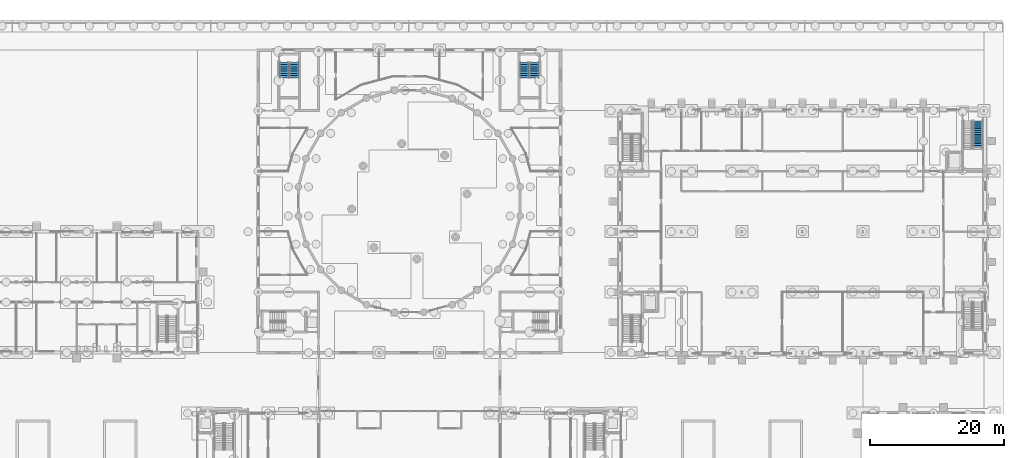
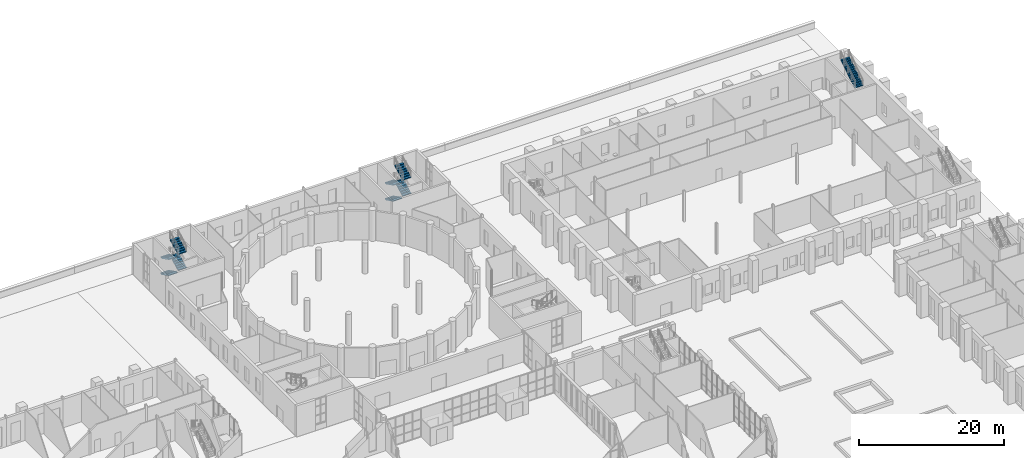
# One storey, part 113 of 168: 9 stair flights, 3 elements without a shape of their own.
"""IFC4 building model written with IfcOpenShell, lengths in metres."""

from ifc_helpers import new_model, si_unit, direction, frame, origin, place, context, subcontext, project, spatial, polyline, outline, extrude, material, type_object, element, aggregate, save


model = new_model("IFC4")

# Units and contexts
model_context = context("Model", 3, precision=1e-05, world=origin(), true_north=direction((0.0, 1.0)))
body_context = subcontext(model_context, "Body", "Model", "MODEL_VIEW")
ifc_project = project(units=[si_unit("LENGTHUNIT", "METRE"), si_unit("AREAUNIT", "SQUARE_METRE"), si_unit("VOLUMEUNIT", "CUBIC_METRE"), si_unit("PLANEANGLEUNIT", "RADIAN"), si_unit("MASSUNIT", "GRAM", prefix="KILO")], contexts=[model_context])

# Site, building, storey
site_placement = place(None, origin())
site = spatial("IfcSite", under=ifc_project, at=site_placement, CompositionType="ELEMENT")
building_placement = place(site_placement, origin())
building = spatial("IfcBuilding", under=site, at=building_placement, Name="Golden Quay Civic Hall", CompositionType="ELEMENT")
storey_placement = place(building_placement, origin())
storey = spatial("IfcBuildingStorey", under=building, at=storey_placement, Name="L00", CompositionType="ELEMENT", Elevation=0.0)

# Stair, stair flight
ifc_material_1 = material(Name="Concrete C40/50", Category="concrete")
stair_type_1 = type_object("IfcStairType", Name="Concrete half-turn stair 30 risers", PredefinedType="HALF_TURN_STAIR", material=ifc_material_1)
stair_1_placement = place(storey_placement, origin())
stair_1 = element("IfcStair", 1, at=stair_1_placement, inside=storey, type_object=stair_type_1, Name="L00 Protected Exit Stair LB-E", PredefinedType="HALF_TURN_STAIR")
ifc_material_2 = material(Name="Concrete C40/50", Category="concrete")
stair_flight_type_1 = type_object("IfcStairFlightType", Name="Concrete stair flight 1350", PredefinedType="STRAIGHT", material=ifc_material_2)
stair_flight_1_placement = place(storey_placement, frame((170.125, 93.530029296875, 2.699951171875), z_axis=(0.0, 0.0, 1.0), x_axis=(0.0, 1.0, 0.0)))
stair_flight_1 = element("IfcStairFlight", 2, at=stair_flight_1_placement, type_object=stair_flight_type_1, Name="LB-STE flight 2", NumberOfRisers=15, NumberOfTreads=14, PredefinedType="STRAIGHT", RiserHeight=0.18, TreadLength=0.28, context=body_context, shape_type="SweptSolid", body=[
    extrude(outline(polyline([(0.0, 0.0), (0.0, 0.179931640625), (0.280029296875, 0.179931640625), (0.280029296875, 0.360107421875), (0.56005859375, 0.360107421875), (0.56005859375, 0.5400390625), (0.840087890625, 0.5400390625), (0.840087890625, 0.719970703125), (1.1201171875, 0.719970703125), (1.1201171875, 0.89990234375), (1.39990234375, 0.89990234375), (1.39990234375, 1.080078125), (1.679931640625, 1.080078125), (1.679931640625, 1.260009765625), (1.9599609375, 1.260009765625), (1.9599609375, 1.43994140625), (2.239990234375, 1.43994140625), (2.239990234375, 1.6201171875), (2.52001953125, 1.6201171875), (2.52001953125, 1.800048828125), (2.800048828125, 1.800048828125), (2.800048828125, 1.97998046875), (3.080078125, 1.97998046875), (3.080078125, 2.159912109375), (3.360107421875, 2.159912109375), (3.360107421875, 2.340087890625), (3.639892578125, 2.340087890625), (3.639892578125, 2.52001953125), (3.919921875, 2.52001953125), (3.919921875, 2.699951171875), (3.919921875, 2.341796875), (0.277099609375, 0.0), (0.0, 0.0)])), frame((0.0, 0.675048828125, 0.0), z_axis=(0.0, -1.0, 0.0), x_axis=(1.0, 0.0, 0.0)), (0.0, 0.0, 1.0), 1.35),
])
aggregate(stair_1, [stair_flight_1])

# Stair, stair flights
ifc_material_3 = material(Name="Concrete C35/45", Category="concrete")
stair_type_2 = type_object("IfcStairType", Name="Reinforced concrete stair 1350", PredefinedType="HALF_TURN_STAIR", material=ifc_material_3)
stair_2_placement = place(storey_placement, origin())
stair_2 = element("IfcStair", 3, at=stair_2_placement, inside=storey, type_object=stair_type_2, Name="L00 Core stair NW", PredefinedType="HALF_TURN_STAIR")
ifc_material_4 = material(Name="Concrete C35/45", Category="concrete")
stair_flight_type_2 = type_object("IfcStairFlightType", Name="Reinforced concrete stair flight 1350", PredefinedType="STRAIGHT", material=ifc_material_4)
stair_flight_2_placement = place(storey_placement, frame((66.875, 106.199951171875, 0.0), z_axis=(0.0, 0.0, 1.0), x_axis=(0.0, -1.0, 0.0)))
stair_flight_2 = element("IfcStairFlight", 4, at=stair_flight_2_placement, type_object=stair_flight_type_2, Name="CB-NW flight 1", NumberOfRisers=8, NumberOfTreads=7, PredefinedType="STRAIGHT", RiserHeight=0.16875, TreadLength=0.33, context=body_context, shape_type="SweptSolid", body=[
    extrude(outline(polyline([(0.0, 0.0), (0.0, 0.168701171875), (0.330078125, 0.168701171875), (0.330078125, 0.33740234375), (0.659912109375, 0.33740234375), (0.659912109375, 0.50634765625), (0.989990234375, 0.50634765625), (0.989990234375, 0.675048828125), (1.320068359375, 0.675048828125), (1.320068359375, 0.84375), (1.64990234375, 0.84375), (1.64990234375, 1.012451171875), (1.97998046875, 1.012451171875), (1.97998046875, 1.18115234375), (2.31005859375, 1.18115234375), (2.31005859375, 1.35009765625), (2.31005859375, 1.012939453125), (0.329345703125, 0.0), (0.0, 0.0)])), frame((0.0, 0.675048828125, 0.0), z_axis=(0.0, -1.0, 0.0), x_axis=(1.0, 0.0, 0.0)), (0.0, 0.0, 1.0), 1.35),
])
stair_flight_3_placement = place(storey_placement, frame((68.375, 103.889892578125, 1.35009765625), z_axis=(0.0, 0.0, 1.0), x_axis=(0.0, 1.0, 0.0)))
stair_flight_3 = element("IfcStairFlight", 5, at=stair_flight_3_placement, type_object=stair_flight_type_2, Name="CB-NW flight 2", NumberOfRisers=8, NumberOfTreads=7, PredefinedType="STRAIGHT", RiserHeight=0.16875, TreadLength=0.33, context=body_context, shape_type="SweptSolid", body=[
    extrude(outline(polyline([(0.0, 0.0), (0.0, 0.168701171875), (0.330078125, 0.168701171875), (0.330078125, 0.33740234375), (0.659912109375, 0.33740234375), (0.659912109375, 0.50634765625), (0.989990234375, 0.50634765625), (0.989990234375, 0.675048828125), (1.320068359375, 0.675048828125), (1.320068359375, 0.84375), (1.64990234375, 0.84375), (1.64990234375, 1.012451171875), (1.97998046875, 1.012451171875), (1.97998046875, 1.18115234375), (2.31005859375, 1.18115234375), (2.31005859375, 1.35009765625), (2.31005859375, 1.012939453125), (0.329345703125, 0.0), (0.0, 0.0)])), frame((0.0, 0.675048828125, 0.0), z_axis=(0.0, -1.0, 0.0), x_axis=(1.0, 0.0, 0.0)), (0.0, 0.0, 1.0), 1.35),
])
stair_flight_4_placement = place(storey_placement, frame((66.875, 106.199951171875, 2.699951171875), z_axis=(0.0, 0.0, 1.0), x_axis=(0.0, -1.0, 0.0)))
stair_flight_4 = element("IfcStairFlight", 6, at=stair_flight_4_placement, type_object=stair_flight_type_2, Name="CB-NW flight 3", NumberOfRisers=8, NumberOfTreads=7, PredefinedType="STRAIGHT", RiserHeight=0.16875, TreadLength=0.33, context=body_context, shape_type="SweptSolid", body=[
    extrude(outline(polyline([(0.0, 0.0), (0.0, 0.168701171875), (0.330078125, 0.168701171875), (0.330078125, 0.33740234375), (0.659912109375, 0.33740234375), (0.659912109375, 0.50634765625), (0.989990234375, 0.50634765625), (0.989990234375, 0.675048828125), (1.320068359375, 0.675048828125), (1.320068359375, 0.84375), (1.64990234375, 0.84375), (1.64990234375, 1.012451171875), (1.97998046875, 1.012451171875), (1.97998046875, 1.18115234375), (2.31005859375, 1.18115234375), (2.31005859375, 1.35009765625), (2.31005859375, 1.012939453125), (0.329345703125, 0.0), (0.0, 0.0)])), frame((0.0, 0.675048828125, 0.0), z_axis=(0.0, -1.0, 0.0), x_axis=(1.0, 0.0, 0.0)), (0.0, 0.0, 1.0), 1.35),
])
stair_flight_5_placement = place(storey_placement, frame((68.375, 103.889892578125, 4.050048828125), z_axis=(0.0, 0.0, 1.0), x_axis=(0.0, 1.0, 0.0)))
stair_flight_5 = element("IfcStairFlight", 7, at=stair_flight_5_placement, type_object=stair_flight_type_2, Name="CB-NW flight 4", NumberOfRisers=8, NumberOfTreads=7, PredefinedType="STRAIGHT", RiserHeight=0.16875, TreadLength=0.33, context=body_context, shape_type="SweptSolid", body=[
    extrude(outline(polyline([(0.0, 0.0), (0.0, 0.168701171875), (0.330078125, 0.168701171875), (0.330078125, 0.33740234375), (0.659912109375, 0.33740234375), (0.659912109375, 0.50634765625), (0.989990234375, 0.50634765625), (0.989990234375, 0.675048828125), (1.320068359375, 0.675048828125), (1.320068359375, 0.84375), (1.64990234375, 0.84375), (1.64990234375, 1.012451171875), (1.97998046875, 1.012451171875), (1.97998046875, 1.18115234375), (2.31005859375, 1.18115234375), (2.31005859375, 1.35009765625), (2.31005859375, 1.012939453125), (0.329345703125, 0.0), (0.0, 0.0)])), frame((0.0, 0.675048828125, 0.0), z_axis=(0.0, -1.0, 0.0), x_axis=(1.0, 0.0, 0.0)), (0.0, 0.0, 1.0), 1.35),
])
aggregate(stair_2, [stair_flight_2, stair_flight_3, stair_flight_4, stair_flight_5])

stair_3_placement = place(storey_placement, origin())
stair_3 = element("IfcStair", 8, at=stair_3_placement, inside=storey, type_object=stair_type_2, Name="L00 Core stair NE", PredefinedType="HALF_TURN_STAIR")
stair_flight_6_placement = place(storey_placement, frame((102.625, 106.199951171875, 0.0), z_axis=(0.0, 0.0, 1.0), x_axis=(0.0, -1.0, 0.0)))
stair_flight_6 = element("IfcStairFlight", 9, at=stair_flight_6_placement, type_object=stair_flight_type_2, Name="CB-NE flight 1", NumberOfRisers=8, NumberOfTreads=7, PredefinedType="STRAIGHT", RiserHeight=0.16875, TreadLength=0.33, context=body_context, shape_type="SweptSolid", body=[
    extrude(outline(polyline([(0.0, 0.0), (0.0, 0.168701171875), (0.330078125, 0.168701171875), (0.330078125, 0.33740234375), (0.659912109375, 0.33740234375), (0.659912109375, 0.50634765625), (0.989990234375, 0.50634765625), (0.989990234375, 0.675048828125), (1.320068359375, 0.675048828125), (1.320068359375, 0.84375), (1.64990234375, 0.84375), (1.64990234375, 1.012451171875), (1.97998046875, 1.012451171875), (1.97998046875, 1.18115234375), (2.31005859375, 1.18115234375), (2.31005859375, 1.35009765625), (2.31005859375, 1.012939453125), (0.329345703125, 0.0), (0.0, 0.0)])), frame((0.0, 0.675048828125, 0.0), z_axis=(0.0, -1.0, 0.0), x_axis=(1.0, 0.0, 0.0)), (0.0, 0.0, 1.0), 1.35),
])
stair_flight_7_placement = place(storey_placement, frame((104.125, 103.889892578125, 1.35009765625), z_axis=(0.0, 0.0, 1.0), x_axis=(0.0, 1.0, 0.0)))
stair_flight_7 = element("IfcStairFlight", 10, at=stair_flight_7_placement, type_object=stair_flight_type_2, Name="CB-NE flight 2", NumberOfRisers=8, NumberOfTreads=7, PredefinedType="STRAIGHT", RiserHeight=0.16875, TreadLength=0.33, context=body_context, shape_type="SweptSolid", body=[
    extrude(outline(polyline([(0.0, 0.0), (0.0, 0.168701171875), (0.330078125, 0.168701171875), (0.330078125, 0.33740234375), (0.659912109375, 0.33740234375), (0.659912109375, 0.50634765625), (0.989990234375, 0.50634765625), (0.989990234375, 0.675048828125), (1.320068359375, 0.675048828125), (1.320068359375, 0.84375), (1.64990234375, 0.84375), (1.64990234375, 1.012451171875), (1.97998046875, 1.012451171875), (1.97998046875, 1.18115234375), (2.31005859375, 1.18115234375), (2.31005859375, 1.35009765625), (2.31005859375, 1.012939453125), (0.329345703125, 0.0), (0.0, 0.0)])), frame((0.0, 0.675048828125, 0.0), z_axis=(0.0, -1.0, 0.0), x_axis=(1.0, 0.0, 0.0)), (0.0, 0.0, 1.0), 1.35),
])
stair_flight_8_placement = place(storey_placement, frame((102.625, 106.199951171875, 2.699951171875), z_axis=(0.0, 0.0, 1.0), x_axis=(0.0, -1.0, 0.0)))
stair_flight_8 = element("IfcStairFlight", 11, at=stair_flight_8_placement, type_object=stair_flight_type_2, Name="CB-NE flight 3", NumberOfRisers=8, NumberOfTreads=7, PredefinedType="STRAIGHT", RiserHeight=0.16875, TreadLength=0.33, context=body_context, shape_type="SweptSolid", body=[
    extrude(outline(polyline([(0.0, 0.0), (0.0, 0.168701171875), (0.330078125, 0.168701171875), (0.330078125, 0.33740234375), (0.659912109375, 0.33740234375), (0.659912109375, 0.50634765625), (0.989990234375, 0.50634765625), (0.989990234375, 0.675048828125), (1.320068359375, 0.675048828125), (1.320068359375, 0.84375), (1.64990234375, 0.84375), (1.64990234375, 1.012451171875), (1.97998046875, 1.012451171875), (1.97998046875, 1.18115234375), (2.31005859375, 1.18115234375), (2.31005859375, 1.35009765625), (2.31005859375, 1.012939453125), (0.329345703125, 0.0), (0.0, 0.0)])), frame((0.0, 0.675048828125, 0.0), z_axis=(0.0, -1.0, 0.0), x_axis=(1.0, 0.0, 0.0)), (0.0, 0.0, 1.0), 1.35),
])
stair_flight_9_placement = place(storey_placement, frame((104.125, 103.889892578125, 4.050048828125), z_axis=(0.0, 0.0, 1.0), x_axis=(0.0, 1.0, 0.0)))
stair_flight_9 = element("IfcStairFlight", 12, at=stair_flight_9_placement, type_object=stair_flight_type_2, Name="CB-NE flight 4", NumberOfRisers=8, NumberOfTreads=7, PredefinedType="STRAIGHT", RiserHeight=0.16875, TreadLength=0.33, context=body_context, shape_type="SweptSolid", body=[
    extrude(outline(polyline([(0.0, 0.0), (0.0, 0.168701171875), (0.330078125, 0.168701171875), (0.330078125, 0.33740234375), (0.659912109375, 0.33740234375), (0.659912109375, 0.50634765625), (0.989990234375, 0.50634765625), (0.989990234375, 0.675048828125), (1.320068359375, 0.675048828125), (1.320068359375, 0.84375), (1.64990234375, 0.84375), (1.64990234375, 1.012451171875), (1.97998046875, 1.012451171875), (1.97998046875, 1.18115234375), (2.31005859375, 1.18115234375), (2.31005859375, 1.35009765625), (2.31005859375, 1.012939453125), (0.329345703125, 0.0), (0.0, 0.0)])), frame((0.0, 0.675048828125, 0.0), z_axis=(0.0, -1.0, 0.0), x_axis=(1.0, 0.0, 0.0)), (0.0, 0.0, 1.0), 1.35),
])
aggregate(stair_3, [stair_flight_6, stair_flight_7, stair_flight_8, stair_flight_9])

save(model, "model.ifc")
